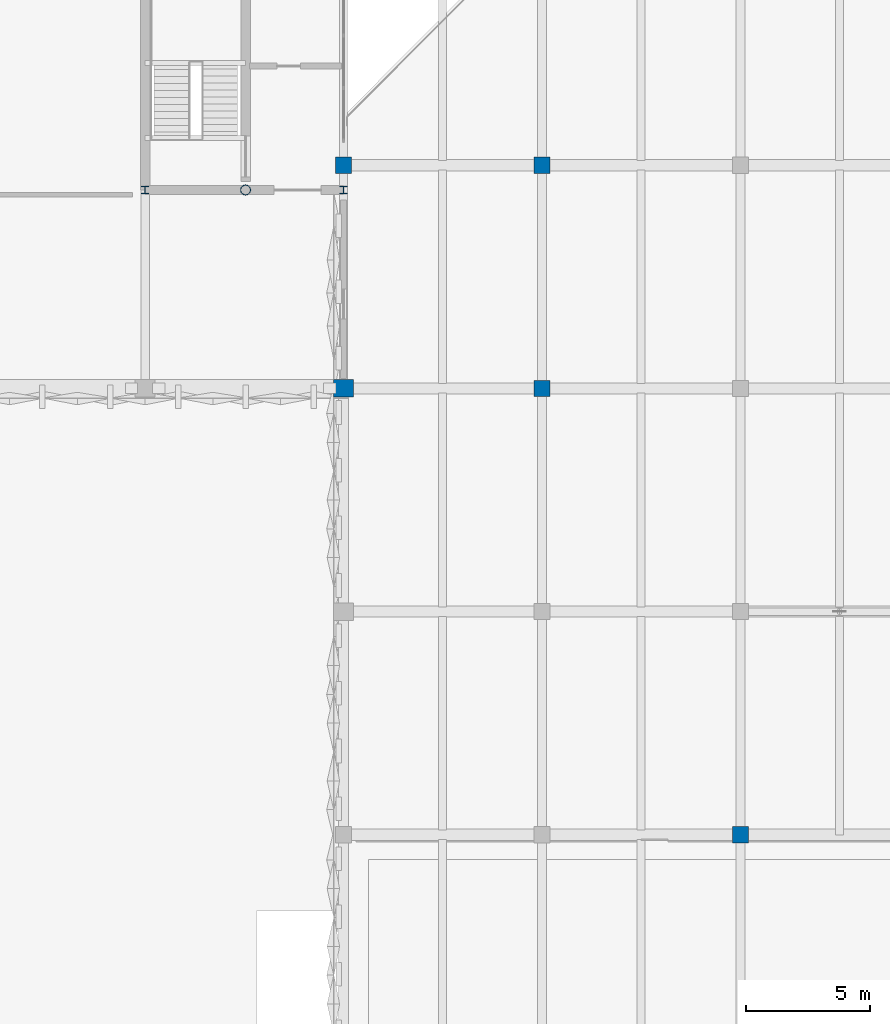
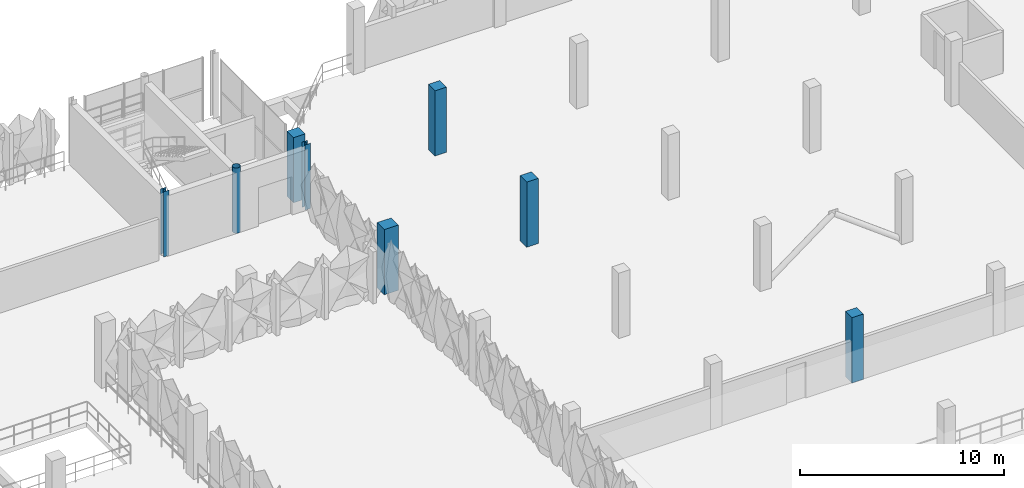
# One storey, part 5 of 96: 8 columns.
"""IFC4 building model written with IfcOpenShell, lengths in metres."""

from ifc_helpers import new_model, si_unit, derived_unit, direction, frame, origin, origin_2d, place, context, subcontext, project, spatial, rectangle, hollow_circle, i_section, extrude, material, material_profile, profile_set, type_object, element, save


model = new_model("IFC4")

# Units and contexts
model_context = context("Model", 3, precision=1e-05, world=origin(), true_north=direction((0.0, 1.0)))
body_context = subcontext(model_context, "Body", "Model", "MODEL_VIEW")
ifc_project = project(units=[si_unit("LENGTHUNIT", "METRE"), si_unit("AREAUNIT", "SQUARE_METRE"), si_unit("VOLUMEUNIT", "CUBIC_METRE"), si_unit("PLANEANGLEUNIT", "RADIAN"), si_unit("MASSUNIT", "GRAM", prefix="KILO"), si_unit("THERMODYNAMICTEMPERATUREUNIT", "KELVIN"), derived_unit("THERMALTRANSMITTANCEUNIT", [(si_unit("POWERUNIT", "WATT"), 1), (si_unit("AREAUNIT", "SQUARE_METRE"), -1), (si_unit("THERMODYNAMICTEMPERATUREUNIT", "KELVIN"), -1)])], contexts=[model_context])

# Site, building, storey
site_placement = place(None, origin())
site = spatial("IfcSite", under=ifc_project, at=site_placement, CompositionType="ELEMENT")
building_placement = place(site_placement, origin())
building = spatial("IfcBuilding", under=site, at=building_placement, Name="Haiyu Intermodal Mobility Hub", CompositionType="ELEMENT")
storey_placement = place(building_placement, frame((0.0, 0.0, 9.5)))
storey = spatial("IfcBuildingStorey", under=building, at=storey_placement, Name="L02", CompositionType="ELEMENT", Elevation=9.5)

# Columns
ifc_material_1 = material(Name="Concrete C40", Category="concrete")
ifc_material_profile_1 = material_profile(ifc_material_1, rectangle(XDim=0.64990234375, YDim=0.64990234375, at=origin_2d()), Name="RC650x650")
ifc_profile_set_1 = profile_set([ifc_material_profile_1], Name="Concrete C40")
column_type_1 = type_object("IfcColumnType", Name="COL-CC09", PredefinedType="COLUMN", material=ifc_profile_set_1)
for number, where, z_axis, x_axis, name in (
    (1, (170.0, 131.0, 0.0), (0.0, 0.0, 1.0), (1.0, 0.0, 0.0), "Column V6-19Q L02"),
    (2, (170.0, 140.0, 0.0), (0.0, 0.0, 1.0), (1.0, 0.0, 0.0), "Column V6-19R L02"),
    (3, (178.0, 113.0, 0.0), (0.0, 0.0, 1.0), (1.0, 0.0, 0.0), "Column V6-20N L02"),
):
    element("IfcColumn", number, at=place(storey_placement, frame(where, z_axis=z_axis, x_axis=x_axis)), inside=storey, type_object=column_type_1, Name=name, PredefinedType="COLUMN", context=body_context, shape_type="SweptSolid", body=[
        extrude(rectangle(XDim=0.64990234375, YDim=0.64990234375, at=origin_2d()), origin(), (0.0, 0.0, 1.0), 3.89990234375),
    ])
ifc_material_profile_2 = material_profile(ifc_material_1, rectangle(XDim=0.64990234375, YDim=0.64990234375, at=origin_2d()), Name="RC650x650")
ifc_profile_set_2 = profile_set([ifc_material_profile_2], Name="Concrete C40")
column_type_2 = type_object("IfcColumnType", Name="COL-CC09-EXT", PredefinedType="COLUMN", material=ifc_profile_set_2)
column_1_placement = place(storey_placement, frame((162.0, 140.0, 0.0), z_axis=(0.0, 0.0, 1.0), x_axis=(1.0, 0.0, 0.0)))
element("IfcColumn", 4, at=column_1_placement, inside=storey, type_object=column_type_2, Name="Column V6-18R L02", PredefinedType="COLUMN", context=body_context, shape_type="SweptSolid", body=[
    extrude(rectangle(XDim=0.64990234375, YDim=0.64990234375, at=origin_2d()), origin(), (0.0, 0.0, 1.0), 3.89990234375),
])
ifc_material_2 = material(Name="Precast concrete C40", Category="concrete")
ifc_material_profile_3 = material_profile(ifc_material_2, rectangle(XDim=0.800048828125, YDim=0.699951171875, at=origin_2d()), Name="C800x700")
ifc_profile_set_3 = profile_set([ifc_material_profile_3], Name="Precast concrete C40")
column_type_3 = type_object("IfcColumnType", Name="COL-CC20-EXT", PredefinedType="COLUMN", material=ifc_profile_set_3)
column_2_placement = place(storey_placement, frame((162.0, 131.0, 0.0), z_axis=(0.0, 0.0, 1.0), x_axis=(1.0, 0.0, 0.0)))
element("IfcColumn", 5, at=column_2_placement, inside=storey, type_object=column_type_3, Name="Column V4-18Q L02", PredefinedType="COLUMN", context=body_context, shape_type="SweptSolid", body=[
    extrude(rectangle(XDim=0.800048828125, YDim=0.699951171875, at=origin_2d()), origin(), (0.0, 0.0, 1.0), 3.89990234375),
])
ifc_material_3 = material(Name="Steel Q355C", Category="steel")
ifc_material_profile_4 = material_profile(ifc_material_3, hollow_circle(Radius=0.202880859375, WallThickness=0.013916015625, at=origin_2d()), Name="CHS406x14")
ifc_profile_set_4 = profile_set([ifc_material_profile_4], Name="Steel Q355C")
column_type_4 = type_object("IfcColumnType", Name="COL-SC03", PredefinedType="COLUMN", material=ifc_profile_set_4)
column_3_placement = place(storey_placement, frame((158.050048828125, 139.0, 0.0), z_axis=(0.0, 0.0, 1.0), x_axis=(1.0, 0.0, 0.0)))
element("IfcColumn", 6, at=column_3_placement, inside=storey, type_object=column_type_4, Name="Column C4-MS L02", PredefinedType="COLUMN", context=body_context, shape_type="SweptSolid", body=[
    extrude(hollow_circle(Radius=0.202880859375, WallThickness=0.013916015625, at=origin_2d()), origin(), (0.0, 0.0, 1.0), 3.89990234375),
])
ifc_material_profile_5 = material_profile(ifc_material_3, i_section(OverallWidth=0.300048828125, OverallDepth=0.300048828125, WebThickness=0.010009765625, FlangeThickness=0.014892578125, FilletRadius=0.01806640625, at=origin_2d()), Name="HW300x300x10x15")
ifc_profile_set_5 = profile_set([ifc_material_profile_5], Name="Steel Q355C")
column_type_5 = type_object("IfcColumnType", Name="COL-SC07", PredefinedType="COLUMN", material=ifc_profile_set_5)
column_4_placement = place(storey_placement, frame((154.0, 139.0, 0.0), z_axis=(0.0, 0.0, 1.0), x_axis=(1.0, 0.0, 0.0)))
element("IfcColumn", 7, at=column_4_placement, inside=storey, type_object=column_type_5, Name="Column C4-SW L02", PredefinedType="COLUMN", context=body_context, shape_type="SweptSolid", body=[
    extrude(i_section(OverallWidth=0.300048828125, OverallDepth=0.300048828125, WebThickness=0.010009765625, FlangeThickness=0.014892578125, FilletRadius=0.01806640625, at=origin_2d()), origin(), (0.0, 0.0, 1.0), 3.89990234375),
])
ifc_material_profile_6 = material_profile(ifc_material_3, i_section(OverallWidth=0.300048828125, OverallDepth=0.300048828125, WebThickness=0.010009765625, FlangeThickness=0.014892578125, FilletRadius=0.01806640625, at=origin_2d()), Name="HW300x300x10x15")
ifc_profile_set_6 = profile_set([ifc_material_profile_6], Name="Steel Q355C")
column_type_6 = type_object("IfcColumnType", Name="COL-SC07-EXT", PredefinedType="COLUMN", material=ifc_profile_set_6)
column_5_placement = place(storey_placement, frame((162.0, 139.0, 0.0), z_axis=(0.0, 0.0, 1.0), x_axis=(1.0, 0.0, 0.0)))
element("IfcColumn", 8, at=column_5_placement, inside=storey, type_object=column_type_6, Name="Column C4-SE L02", PredefinedType="COLUMN", context=body_context, shape_type="SweptSolid", body=[
    extrude(i_section(OverallWidth=0.300048828125, OverallDepth=0.300048828125, WebThickness=0.010009765625, FlangeThickness=0.014892578125, FilletRadius=0.01806640625, at=origin_2d()), origin(), (0.0, 0.0, 1.0), 3.89990234375),
])

save(model, "model.ifc")
